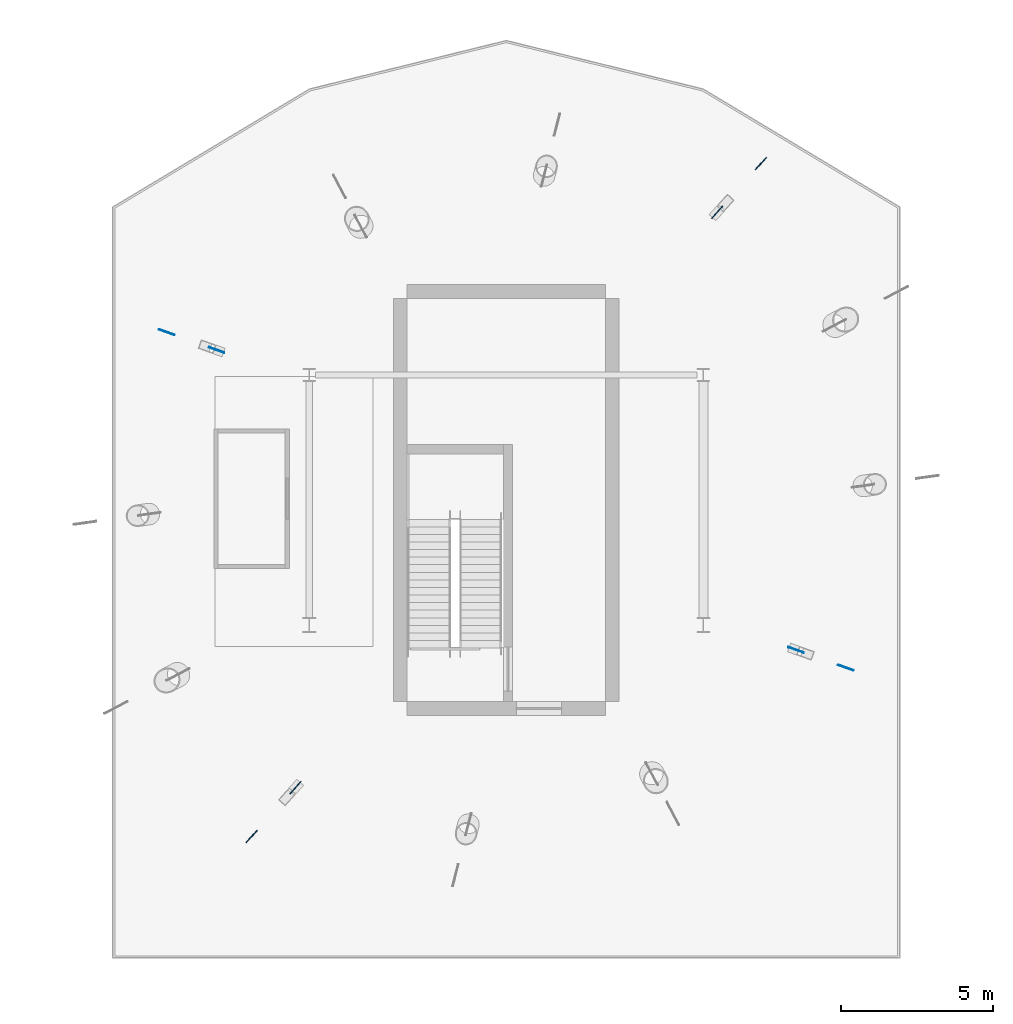
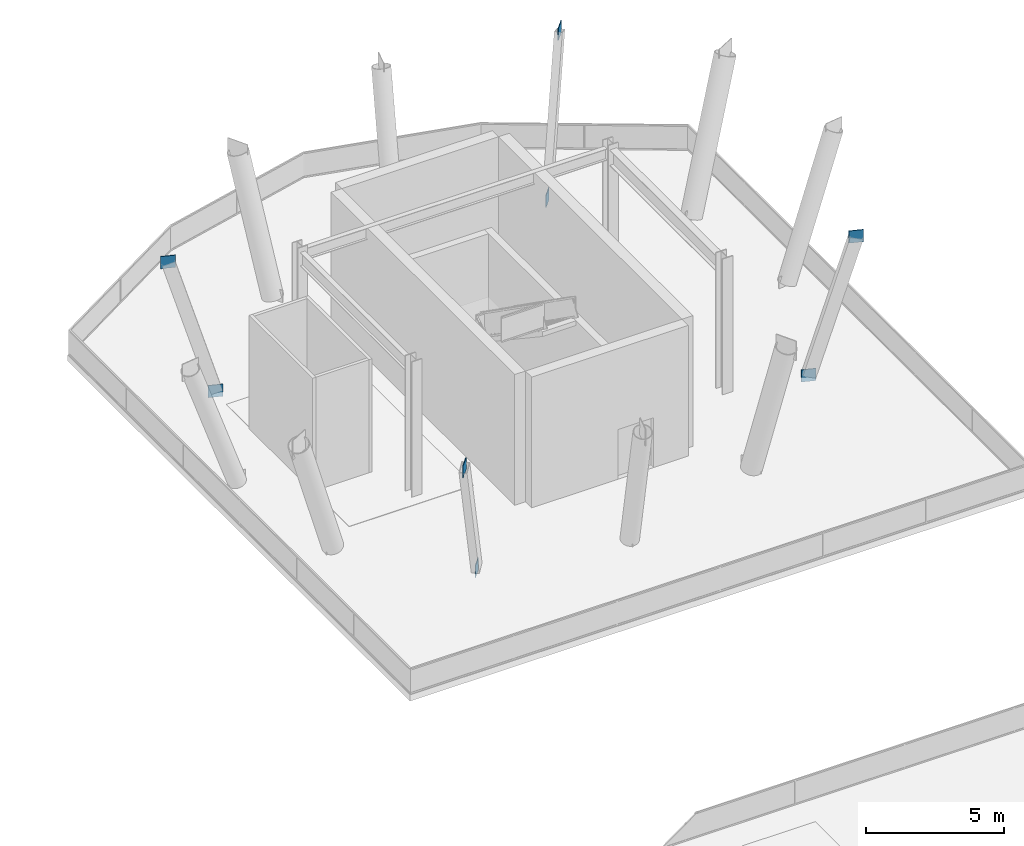
# One storey, part 36 of 73: 8 plates.
"""IFC4 building model written with IfcOpenShell, lengths in metres."""

from ifc_helpers import new_model, si_unit, direction, frame, origin, origin_2d, place, context, subcontext, project, spatial, rectangle, extrude, material, layer, layer_set, type_object, element, save


model = new_model("IFC4")

# Units and contexts
model_context = context("Model", 3, precision=1e-05, world=origin(), true_north=direction((0.0, 1.0)))
body_context = subcontext(model_context, "Body", "Model", "MODEL_VIEW")
ifc_project = project(units=[si_unit("LENGTHUNIT", "METRE"), si_unit("AREAUNIT", "SQUARE_METRE"), si_unit("VOLUMEUNIT", "CUBIC_METRE"), si_unit("PLANEANGLEUNIT", "RADIAN"), si_unit("MASSUNIT", "GRAM", prefix="KILO")], contexts=[model_context])

# Site, building, storey
site_placement = place(None, origin())
site = spatial("IfcSite", under=ifc_project, at=site_placement, CompositionType="ELEMENT")
building_placement = place(site_placement, origin())
building = spatial("IfcBuilding", under=site, at=building_placement, Name="Linyun Crest Stadium", CompositionType="ELEMENT")
storey_placement = place(building_placement, origin())
storey = spatial("IfcBuildingStorey", under=building, at=storey_placement, Name="L01", CompositionType="ELEMENT", Elevation=0.0)

# Plates
ifc_material = material(Name="Steel Q420C", Category="steel")
ifc_layer = layer(ifc_material, 0.028076171875)
ifc_layer_set = layer_set([ifc_layer], Name="Steel Q420C")
plate_type = type_object("IfcPlateType", Name="EP03", PredefinedType="USERDEFINED", material=ifc_layer_set)
for number, where, z_axis, x_axis, name in (
    (1, (80.4560546875, 94.113037109375, -0.178955078125), (0.0, 0.0, 1.0), (0.66744274333, 0.744661120495, 0.0), "Hollow section cap end plate EP03 404"),
    (2, (81.89892578125, 95.722900390625, 5.72802734375), (0.0, 0.0, 1.0), (0.66744274333, 0.744661120495, 0.0), "Hollow section cap end plate EP03 405"),
    (3, (63.946044921875, 89.569091796875, -0.194091796875), (0.0, 0.0, 1.0), (-0.941588155895, 0.336766602676, 0.0), "Hollow section cap end plate EP03 419"),
    (4, (62.302001953125, 90.156982421875, 5.72802734375), (0.0, 0.0, 1.0), (-0.941588155895, 0.336766602676, 0.0), "Hollow section cap end plate EP03 420"),
    (5, (66.5439453125, 75.136962890625, -0.178955078125), (0.0, 0.0, 1.0), (-0.66744274333, -0.744661120495, 0.0), "Hollow section cap end plate EP03 434"),
    (6, (65.10107421875, 73.527099609375, 5.72802734375), (0.0, 0.0, 1.0), (-0.66744274333, -0.744661120495, 0.0), "Hollow section cap end plate EP03 435"),
    (7, (83.053955078125, 79.680908203125, -0.194091796875), (0.0, 0.0, 1.0), (0.941588155895, -0.336766602676, 0.0), "Hollow section cap end plate EP03 449"),
    (8, (84.697998046875, 79.093017578125, 5.72802734375), (0.0, 0.0, 1.0), (0.941588155895, -0.336766602676, 0.0), "Hollow section cap end plate EP03 450"),
):
    element("IfcPlate", number, at=place(storey_placement, frame(where, z_axis=z_axis, x_axis=x_axis)), inside=storey, type_object=plate_type, Name=name, ObjectType="END PLATE", PredefinedType="USERDEFINED", context=body_context, shape_type="SweptSolid", body=[
        extrude(rectangle(XDim=0.5400390625, YDim=0.028076171875, at=origin_2d()), origin(), (0.0, 0.0, 1.0), 0.5400390625),
    ])

save(model, "model.ifc")
